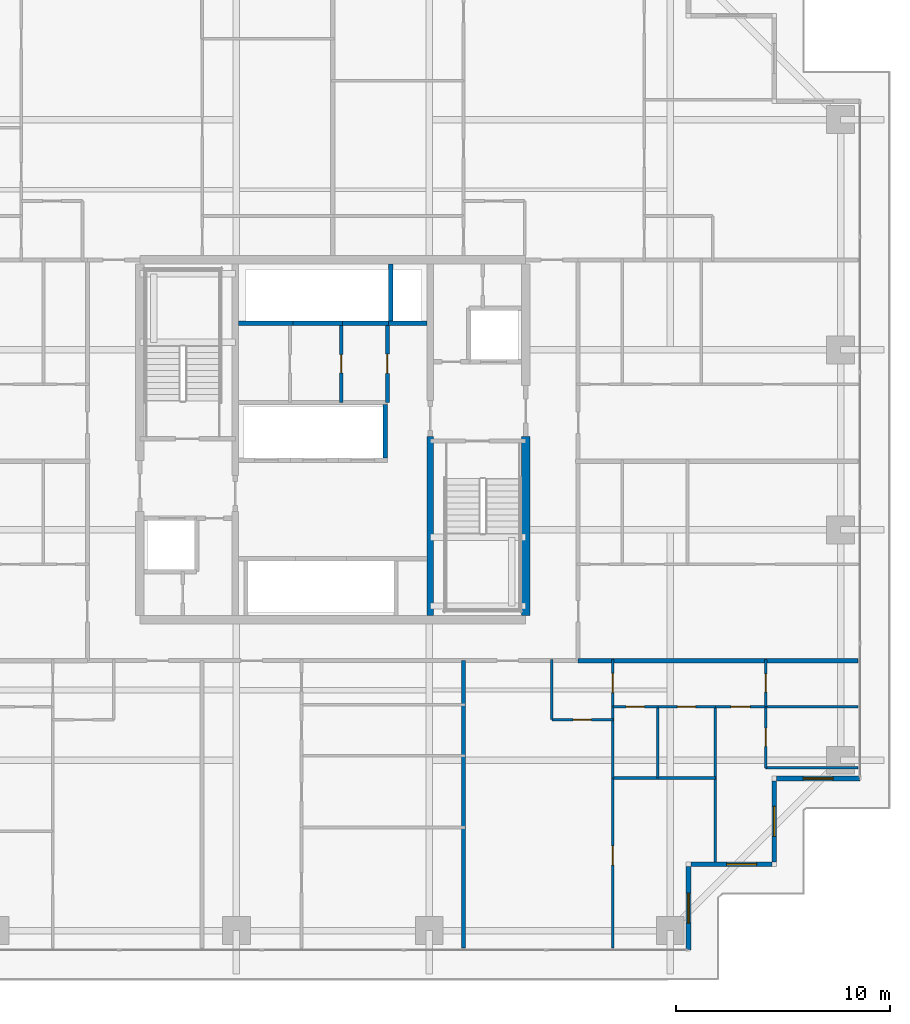
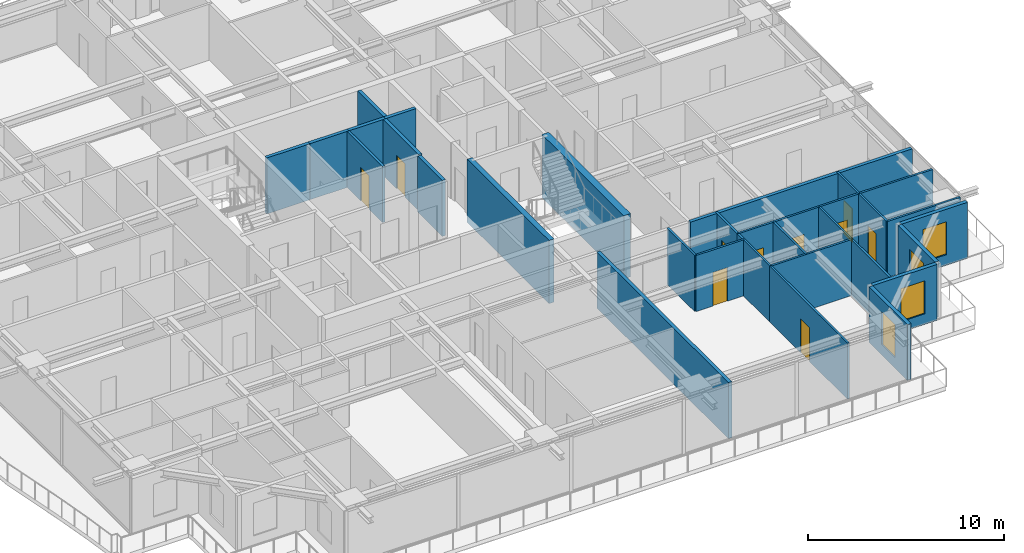
# One storey, part 29 of 38: 31 walls, 10 doors, 4 windows, 14 openings.
"""IFC4 building model written with IfcOpenShell, lengths in metres."""

from ifc_helpers import new_model, si_unit, direction, frame, frame_2d, origin, place, context, subcontext, project, spatial, rectangle, extrude, source, transform, mapped, material, layer, layer_set, type_object, element, fill, save


model = new_model("IFC4")

# Units and contexts
model_context = context("Model", 3, precision=1e-05, world=origin(), true_north=direction((0.0, 1.0)))
body_context = subcontext(model_context, "Body", "Model", "MODEL_VIEW")
ifc_project = project(units=[si_unit("LENGTHUNIT", "METRE"), si_unit("AREAUNIT", "SQUARE_METRE"), si_unit("VOLUMEUNIT", "CUBIC_METRE"), si_unit("PLANEANGLEUNIT", "RADIAN"), si_unit("MASSUNIT", "GRAM", prefix="KILO")], contexts=[model_context])

# Site, building, storey
site_placement = place(None, origin())
site = spatial("IfcSite", under=ifc_project, at=site_placement, CompositionType="ELEMENT")
building_placement = place(site_placement, origin())
building = spatial("IfcBuilding", under=site, at=building_placement, Name="Serunith Strait Residences", CompositionType="ELEMENT")
storey_placement = place(building_placement, frame((0.0, 0.0, 120.14990234375)))
storey = spatial("IfcBuildingStorey", under=building, at=storey_placement, Name="L29", CompositionType="ELEMENT", Elevation=120.14990234375)

# Wall, opening, window
ifc_material_1 = material(Name="Pale-Champagne Aluminium Insulated Panel", Category="aluminium")
ifc_layer_1 = layer(ifc_material_1, 0.219970703125, Name="Pale-Champagne Aluminium Insulated Panel")
ifc_layer_set_1 = layer_set([ifc_layer_1], Name="Pale-Champagne Aluminium Insulated Panel")
wall_type_1 = type_object("IfcWallType", Name="EW-ALUM-220", PredefinedType="ELEMENTEDWALL", material=ifc_layer_set_1)
wall_1_placement = place(storey_placement, frame((49.0, 1.39990234375, 0.0), z_axis=(0.0, 0.0, 1.0), x_axis=(0.0, 1.0, 0.0)))
wall_1 = element("IfcWall", 1, at=wall_1_placement, inside=storey, type_object=wall_type_1, Name="L29 Girih Serrated Corner Wall 02", PredefinedType="ELEMENTEDWALL", context=body_context, shape_type="SweptSolid", body=[
    extrude(rectangle(XDim=3.89013671875, YDim=0.219970703125, at=frame_2d((1.945068359375, 0.0))), origin(), (0.0, 0.0, 1.0), 3.47509765625),
])
opening_1_placement = place(wall_1_placement, frame((1.2451171875, 0.0, 0.64990234375)))
opening_1 = element("IfcOpeningElement", 2, at=opening_1_placement, cuts=wall_1, Name="Opening W-03", PredefinedType="OPENING", context=body_context, shape_type="SweptSolid", body=[
    extrude(rectangle(XDim=1.39990234375, YDim=2.050048828125, at=frame_2d((0.699951171875, 1.02490234375))), frame((0.0, 0.1201171875, 0.0), z_axis=(0.0, -1.0, 0.0), x_axis=(1.0, 0.0, 0.0)), (0.0, 0.0, 1.0), 0.239990234375),
])
ifc_material_2 = material(Name="Ceramic-Fritted Operable Aluminium Window Glass", Category="aluminium")
window_type = type_object("IfcWindowType", Name="WIN-C3", PartitioningType="SINGLE_PANEL", PredefinedType="WINDOW", material=ifc_material_2)
shared_shape_1 = source(origin(), body_context, "Body", "SweptSolid", [
    extrude(rectangle(XDim=1.39990234375, YDim=2.050048828125, at=frame_2d((0.699951171875, 1.02490234375))), frame((0.0, 0.030029296875, 0.0), z_axis=(0.0, -1.0, 0.0), x_axis=(1.0, 0.0, 0.0)), (0.0, 0.0, 1.0), 0.06005859375),
])
window_1_placement = place(opening_1_placement, origin())
window_1 = element("IfcWindow", 3, at=window_1_placement, inside=storey, type_object=window_type, Name="L29 Corner Operable Fritted Window 02", OverallHeight=2.050048828125, OverallWidth=1.39990234375, PartitioningType="SINGLE_PANEL", PredefinedType="WINDOW", context=body_context, shape_type="MappedRepresentation", body=[
    mapped(shared_shape_1, transform((0.0, 0.0, 0.0), scale=1.0)),
])
fill(opening_1, window_1)

wall_2_placement = place(storey_placement, frame((49.110107421875, 5.39990234375, 0.0), z_axis=(0.0, 0.0, 1.0), x_axis=(1.0, 0.0, 0.0)))
wall_2 = element("IfcWall", 4, at=wall_2_placement, inside=storey, type_object=wall_type_1, Name="L29 Girih Serrated Corner Wall 03", PredefinedType="ELEMENTEDWALL", context=body_context, shape_type="SweptSolid", body=[
    extrude(rectangle(XDim=3.77978515625, YDim=0.219970703125, at=frame_2d((1.889892578125, 0.0))), origin(), (0.0, 0.0, 1.0), 3.47509765625),
])
opening_2_placement = place(wall_2_placement, frame((1.666015625, 0.0, 0.64990234375)))
opening_2 = element("IfcOpeningElement", 5, at=opening_2_placement, cuts=wall_2, Name="Opening W-03", PredefinedType="OPENING", context=body_context, shape_type="SweptSolid", body=[
    extrude(rectangle(XDim=1.39990234375, YDim=2.050048828125, at=frame_2d((0.699951171875, 1.02490234375))), frame((0.0, 0.1201171875, 0.0), z_axis=(0.0, -1.0, 0.0), x_axis=(1.0, 0.0, 0.0)), (0.0, 0.0, 1.0), 0.239990234375),
])
window_2_placement = place(opening_2_placement, origin())
window_2 = element("IfcWindow", 6, at=window_2_placement, inside=storey, type_object=window_type, Name="L29 Corner Operable Fritted Window 03", OverallHeight=2.050048828125, OverallWidth=1.39990234375, PartitioningType="SINGLE_PANEL", PredefinedType="WINDOW", context=body_context, shape_type="MappedRepresentation", body=[
    mapped(shared_shape_1, transform((0.0, 0.0, 0.0), scale=1.0)),
])
fill(opening_2, window_2)

wall_3_placement = place(storey_placement, frame((53.0, 5.510009765625, 0.0), z_axis=(0.0, 0.0, 1.0), x_axis=(0.0, 1.0, 0.0)))
wall_3 = element("IfcWall", 7, at=wall_3_placement, inside=storey, type_object=wall_type_1, Name="L29 Girih Serrated Corner Wall 04", PredefinedType="ELEMENTEDWALL", context=body_context, shape_type="SweptSolid", body=[
    extrude(rectangle(XDim=3.780029296875, YDim=0.219970703125, at=frame_2d((1.89013671875, 0.0))), origin(), (0.0, 0.0, 1.0), 3.47509765625),
])
opening_3_placement = place(wall_3_placement, frame((1.18994140625, 0.0, 0.64990234375)))
opening_3 = element("IfcOpeningElement", 8, at=opening_3_placement, cuts=wall_3, Name="Opening W-03", PredefinedType="OPENING", context=body_context, shape_type="SweptSolid", body=[
    extrude(rectangle(XDim=1.39990234375, YDim=2.050048828125, at=frame_2d((0.699951171875, 1.02490234375))), frame((0.0, 0.1201171875, 0.0), z_axis=(0.0, -1.0, 0.0), x_axis=(1.0, 0.0, 0.0)), (0.0, 0.0, 1.0), 0.239990234375),
])
window_3_placement = place(opening_3_placement, origin())
window_3 = element("IfcWindow", 9, at=window_3_placement, inside=storey, type_object=window_type, Name="L29 Corner Operable Fritted Window 04", OverallHeight=2.050048828125, OverallWidth=1.39990234375, PartitioningType="SINGLE_PANEL", PredefinedType="WINDOW", context=body_context, shape_type="MappedRepresentation", body=[
    mapped(shared_shape_1, transform((0.0, 0.0, 0.0), scale=1.0)),
])
fill(opening_3, window_3)

wall_4_placement = place(storey_placement, frame((53.110107421875, 9.39990234375, 0.0), z_axis=(0.0, 0.0, 1.0), x_axis=(1.0, 0.0, 0.0)))
wall_4 = element("IfcWall", 10, at=wall_4_placement, inside=storey, type_object=wall_type_1, Name="L29 Girih Serrated Corner Wall 05", PredefinedType="ELEMENTEDWALL", context=body_context, shape_type="SweptSolid", body=[
    extrude(rectangle(XDim=3.889892578125, YDim=0.219970703125, at=frame_2d((1.94482421875, 0.0))), origin(), (0.0, 0.0, 1.0), 3.47509765625),
])
opening_4_placement = place(wall_4_placement, frame((1.2451171875, 0.0, 0.64990234375)))
opening_4 = element("IfcOpeningElement", 11, at=opening_4_placement, cuts=wall_4, Name="Opening W-03", PredefinedType="OPENING", context=body_context, shape_type="SweptSolid", body=[
    extrude(rectangle(XDim=1.39990234375, YDim=2.050048828125, at=frame_2d((0.699951171875, 1.02490234375))), frame((0.0, 0.1201171875, 0.0), z_axis=(0.0, -1.0, 0.0), x_axis=(1.0, 0.0, 0.0)), (0.0, 0.0, 1.0), 0.239990234375),
])
window_4_placement = place(opening_4_placement, origin())
window_4 = element("IfcWindow", 12, at=window_4_placement, inside=storey, type_object=window_type, Name="L29 Corner Operable Fritted Window 05", OverallHeight=2.050048828125, OverallWidth=1.39990234375, PartitioningType="SINGLE_PANEL", PredefinedType="WINDOW", context=body_context, shape_type="MappedRepresentation", body=[
    mapped(shared_shape_1, transform((0.0, 0.0, 0.0), scale=1.0)),
])
fill(opening_4, window_4)

# Wall, opening, door
ifc_material_3 = material(Name="Fire-rated masonry service closet wall", Category="masonry")
ifc_layer_2 = layer(ifc_material_3, 0.14990234375, Name="Fire-rated masonry service closet wall")
ifc_layer_set_2 = layer_set([ifc_layer_2], Name="Fire-rated masonry service closet wall")
wall_type_2 = type_object("IfcWallType", Name="IW-BOH-150", PredefinedType="PARTITIONING", material=ifc_layer_set_2)
wall_5_placement = place(storey_placement, frame((32.800048828125, 26.949951171875, 0.0), z_axis=(0.0, 0.0, 1.0), x_axis=(0.0, 1.0, 0.0)))
wall_5 = element("IfcWall", 13, at=wall_5_placement, inside=storey, type_object=wall_type_2, Name="L29 Partition Wall 015", PredefinedType="PARTITIONING", context=body_context, shape_type="SweptSolid", body=[
    extrude(rectangle(XDim=3.60009765625, YDim=0.14990234375, at=frame_2d((1.800048828125, 0.0))), origin(), (0.0, 0.0, 1.0), 3.489990234375),
])
opening_5_placement = place(wall_5_placement, frame((1.375, 0.0, 0.0)))
opening_5 = element("IfcOpeningElement", 14, at=opening_5_placement, cuts=wall_5, Name="Opening FD-850", PredefinedType="OPENING", context=body_context, shape_type="SweptSolid", body=[
    extrude(rectangle(XDim=0.85009765625, YDim=2.10009765625, at=frame_2d((0.425048828125, 1.050048828125))), frame((0.0, 0.0849609375, 0.0), z_axis=(0.0, -1.0, 0.0), x_axis=(1.0, 0.0, 0.0)), (0.0, 0.0, 1.0), 0.169921875),
])
ifc_material_4 = material(Name="Powder-coated steel service closet door", Category="steel")
door_type_1 = type_object("IfcDoorType", Name="FD-BOH-850", OperationType="NOTDEFINED", PredefinedType="DOOR", material=ifc_material_4)
shared_shape_2 = source(origin(), body_context, "Body", "SweptSolid", [
    extrude(rectangle(XDim=0.85009765625, YDim=2.10009765625, at=frame_2d((0.425048828125, 1.050048828125))), frame((0.0, 0.02490234375, 0.0), z_axis=(0.0, -1.0, 0.0), x_axis=(1.0, 0.0, 0.0)), (0.0, 0.0, 1.0), 0.050048828125),
])
door_1_placement = place(opening_5_placement, origin())
door_1 = element("IfcDoor", 15, at=door_1_placement, inside=storey, type_object=door_type_1, Name="L29 Linen Store Door", OperationType="SINGLE_SWING_RIGHT", OverallHeight=2.10009765625, OverallWidth=0.85009765625, PredefinedType="DOOR", context=body_context, shape_type="MappedRepresentation", body=[
    mapped(shared_shape_2, transform((0.0, 0.0, 0.0), scale=1.0)),
])
fill(opening_5, door_1)

ifc_material_5 = material(Name="Lightweight steel-stud gypsum partition", Category="steel")
ifc_layer_3 = layer(ifc_material_5, 0.1201171875, Name="Lightweight steel-stud gypsum partition")
ifc_layer_set_3 = layer_set([ifc_layer_3], Name="Lightweight steel-stud gypsum partition")
wall_type_3 = type_object("IfcWallType", Name="IW-PART-120", PredefinedType="PARTITIONING", material=ifc_layer_set_3)
wall_6_placement = place(storey_placement, frame((42.6201171875, 12.14990234375, 0.0), z_axis=(0.0, 0.0, 1.0), x_axis=(1.0, 0.0, 0.0)))
wall_6 = element("IfcWall", 16, at=wall_6_placement, inside=storey, type_object=wall_type_3, Name="L29 Partition Wall 053", PredefinedType="PARTITIONING", context=body_context, shape_type="SweptSolid", body=[
    extrude(rectangle(XDim=2.849853515625, YDim=0.1201171875, at=frame_2d((1.4248046875, 0.0))), origin(), (0.0, 0.0, 1.0), 3.489990234375),
])
opening_6_placement = place(wall_6_placement, frame((1.0, 0.0, 0.0)))
opening_6 = element("IfcOpeningElement", 17, at=opening_6_placement, cuts=wall_6, Name="Opening D-RM850", PredefinedType="OPENING", context=body_context, shape_type="SweptSolid", body=[
    extrude(rectangle(XDim=0.85009765625, YDim=2.10009765625, at=frame_2d((0.425048828125, 1.050048828125))), frame((0.0, 0.070068359375, 0.0), z_axis=(0.0, -1.0, 0.0), x_axis=(1.0, 0.0, 0.0)), (0.0, 0.0, 1.0), 0.14013671875),
])
ifc_material_6 = material(Name="Engineered timber flush study and kitchen door", Category="wood")
door_type_2 = type_object("IfcDoorType", Name="ID-ROOM-850", OperationType="NOTDEFINED", PredefinedType="DOOR", material=ifc_material_6)
door_2_placement = place(opening_6_placement, origin())
door_2 = element("IfcDoor", 18, at=door_2_placement, inside=storey, type_object=door_type_2, Name="L29 Kitchen 2903 Door", OperationType="SINGLE_SWING_LEFT", OverallHeight=2.10009765625, OverallWidth=0.85009765625, PredefinedType="DOOR", context=body_context, shape_type="MappedRepresentation", body=[
    mapped(shared_shape_2, transform((0.0, 0.0, 0.0), scale=1.0)),
])
fill(opening_6, door_2)

# Wall
wall_7_placement = place(storey_placement, frame((42.6201171875, 12.14990234375, 0.0), z_axis=(0.0, 0.0, 1.0), x_axis=(0.0, 1.0, 0.0)))
element("IfcWall", 19, at=wall_7_placement, inside=storey, type_object=wall_type_3, Name="L29 Partition Wall 054", PredefinedType="PARTITIONING", context=body_context, shape_type="SweptSolid", body=[
    extrude(rectangle(XDim=2.81005859375, YDim=0.1201171875, at=frame_2d((1.405029296875, 0.0))), origin(), (0.0, 0.0, 1.0), 3.489990234375),
])

# Wall, opening, door
wall_8_placement = place(storey_placement, frame((45.469970703125, 12.75, 0.0), z_axis=(0.0, 0.0, 1.0), x_axis=(0.0, 1.0, 0.0)))
wall_8 = element("IfcWall", 20, at=wall_8_placement, inside=storey, type_object=wall_type_3, Name="L29 Partition Wall 055", PredefinedType="PARTITIONING", context=body_context, shape_type="SweptSolid", body=[
    extrude(rectangle(XDim=2.2099609375, YDim=0.1201171875, at=frame_2d((1.10498046875, 0.0))), origin(), (0.0, 0.0, 1.0), 3.489990234375),
])
opening_7_placement = place(wall_8_placement, frame((0.655029296875, 0.0, 0.0)))
opening_7 = element("IfcOpeningElement", 21, at=opening_7_placement, cuts=wall_8, Name="Opening D-RM900", PredefinedType="OPENING", context=body_context, shape_type="SweptSolid", body=[
    extrude(rectangle(XDim=0.89990234375, YDim=2.10009765625, at=frame_2d((0.449951171875, 1.050048828125))), frame((0.0, 0.070068359375, 0.0), z_axis=(0.0, -1.0, 0.0), x_axis=(1.0, 0.0, 0.0)), (0.0, 0.0, 1.0), 0.14013671875),
])
ifc_material_7 = material(Name="Engineered timber flush bedroom door", Category="wood")
door_type_3 = type_object("IfcDoorType", Name="ID-ROOM-900", OperationType="NOTDEFINED", PredefinedType="DOOR", material=ifc_material_7)
shared_shape_3 = source(origin(), body_context, "Body", "SweptSolid", [
    extrude(rectangle(XDim=0.89990234375, YDim=2.10009765625, at=frame_2d((0.449951171875, 1.050048828125))), frame((0.0, 0.02490234375, 0.0), z_axis=(0.0, -1.0, 0.0), x_axis=(1.0, 0.0, 0.0)), (0.0, 0.0, 1.0), 0.050048828125),
])
door_3_placement = place(opening_7_placement, origin())
door_3 = element("IfcDoor", 22, at=door_3_placement, inside=storey, type_object=door_type_3, Name="L29 Hall E 2903 Door", OperationType="SINGLE_SWING_RIGHT", OverallHeight=2.10009765625, OverallWidth=0.89990234375, PredefinedType="DOOR", context=body_context, shape_type="MappedRepresentation", body=[
    mapped(shared_shape_3, transform((0.0, 0.0, 0.0), scale=1.0)),
])
fill(opening_7, door_3)

wall_9_placement = place(storey_placement, frame((45.469970703125, 1.4951171875, 0.0), z_axis=(0.0, 0.0, 1.0), x_axis=(0.0, 1.0, 0.0)))
wall_9 = element("IfcWall", 23, at=wall_9_placement, inside=storey, type_object=wall_type_3, Name="L29 Partition Wall 056", PredefinedType="PARTITIONING", context=body_context, shape_type="SweptSolid", body=[
    extrude(rectangle(XDim=7.928955078125, YDim=0.1201171875, at=frame_2d((3.96435546875, 0.0))), origin(), (0.0, 0.0, 1.0), 3.489990234375),
])
opening_8_placement = place(wall_9_placement, frame((3.865966796875, 0.0, 0.0)))
opening_8 = element("IfcOpeningElement", 24, at=opening_8_placement, cuts=wall_9, Name="Opening D-RM900", PredefinedType="OPENING", context=body_context, shape_type="SweptSolid", body=[
    extrude(rectangle(XDim=0.89990234375, YDim=2.10009765625, at=frame_2d((0.449951171875, 1.050048828125))), frame((0.0, 0.070068359375, 0.0), z_axis=(0.0, -1.0, 0.0), x_axis=(1.0, 0.0, 0.0)), (0.0, 0.0, 1.0), 0.14013671875),
])
door_4_placement = place(opening_8_placement, origin())
door_4 = element("IfcDoor", 25, at=door_4_placement, inside=storey, type_object=door_type_3, Name="L29 Formal Dining Room 1 2903 Door", OperationType="SINGLE_SWING_LEFT", OverallHeight=2.10009765625, OverallWidth=0.89990234375, PredefinedType="DOOR", context=body_context, shape_type="MappedRepresentation", body=[
    mapped(shared_shape_3, transform((0.0, 0.0, 0.0), scale=1.0)),
])
fill(opening_8, door_4)

# Walls
wall_10_placement = place(storey_placement, frame((45.469970703125, 9.426025390625, 0.0), z_axis=(0.0, 0.0, 1.0), x_axis=(0.0, 1.0, 0.0)))
element("IfcWall", 26, at=wall_10_placement, inside=storey, type_object=wall_type_3, Name="L29 Partition Wall 057", PredefinedType="PARTITIONING", context=body_context, shape_type="SweptSolid", body=[
    extrude(rectangle(XDim=3.322021484375, YDim=0.1201171875, at=frame_2d((1.6611328125, 0.0))), origin(), (0.0, 0.0, 1.0), 3.489990234375),
])
wall_11_placement = place(storey_placement, frame((45.469970703125, 9.424072265625, 0.0), z_axis=(0.0, 0.0, 1.0), x_axis=(1.0, 0.0, 0.0)))
element("IfcWall", 27, at=wall_11_placement, inside=storey, type_object=wall_type_3, Name="L29 Partition Wall 058", PredefinedType="PARTITIONING", context=body_context, shape_type="SweptSolid", body=[
    extrude(rectangle(XDim=4.780029296875, YDim=0.1201171875, at=frame_2d((2.39013671875, 0.0))), origin(), (0.0, 0.0, 1.0), 3.489990234375),
])
wall_12_placement = place(storey_placement, frame((50.25, 5.4951171875, 0.0), z_axis=(0.0, 0.0, 1.0), x_axis=(0.0, 1.0, 0.0)))
element("IfcWall", 28, at=wall_12_placement, inside=storey, type_object=wall_type_3, Name="L29 Partition Wall 059", PredefinedType="PARTITIONING", context=body_context, shape_type="SweptSolid", body=[
    extrude(rectangle(XDim=7.2548828125, YDim=0.1201171875, at=frame_2d((3.62744140625, 0.0))), origin(), (0.0, 0.0, 1.0), 3.489990234375),
])
wall_13_placement = place(storey_placement, frame((47.570068359375, 9.424072265625, 0.0), z_axis=(0.0, 0.0, 1.0), x_axis=(0.0, 1.0, 0.0)))
element("IfcWall", 29, at=wall_13_placement, inside=storey, type_object=wall_type_3, Name="L29 Partition Wall 060", PredefinedType="PARTITIONING", context=body_context, shape_type="SweptSolid", body=[
    extrude(rectangle(XDim=3.325927734375, YDim=0.1201171875, at=frame_2d((1.6630859375, 0.0))), origin(), (0.0, 0.0, 1.0), 3.489990234375),
])

# Wall, opening, door
wall_14_placement = place(storey_placement, frame((45.469970703125, 12.75, 0.0), z_axis=(0.0, 0.0, 1.0), x_axis=(1.0, 0.0, 0.0)))
wall_14 = element("IfcWall", 30, at=wall_14_placement, inside=storey, type_object=wall_type_3, Name="L29 Partition Wall 061", PredefinedType="PARTITIONING", context=body_context, shape_type="SweptSolid", body=[
    extrude(rectangle(XDim=2.10009765625, YDim=0.1201171875, at=frame_2d((1.050048828125, 0.0))), origin(), (0.0, 0.0, 1.0), 3.489990234375),
])
opening_9_placement = place(wall_14_placement, frame((0.625, 0.0, 0.0)))
opening_9 = element("IfcOpeningElement", 31, at=opening_9_placement, cuts=wall_14, Name="Opening D-BTH850", PredefinedType="OPENING", context=body_context, shape_type="SweptSolid", body=[
    extrude(rectangle(XDim=0.85009765625, YDim=2.10009765625, at=frame_2d((0.425048828125, 1.050048828125))), frame((0.0, 0.070068359375, 0.0), z_axis=(0.0, -1.0, 0.0), x_axis=(1.0, 0.0, 0.0)), (0.0, 0.0, 1.0), 0.14013671875),
])
ifc_material_8 = material(Name="Moisture-resistant timber bathroom door", Category="wood")
door_type_4 = type_object("IfcDoorType", Name="ID-BATH-850", OperationType="NOTDEFINED", PredefinedType="DOOR", material=ifc_material_8)
door_5_placement = place(opening_9_placement, origin())
door_5 = element("IfcDoor", 32, at=door_5_placement, inside=storey, type_object=door_type_4, Name="L29 Bathroom 2903 Door", OperationType="SINGLE_SWING_RIGHT", OverallHeight=2.10009765625, OverallWidth=0.85009765625, PredefinedType="DOOR", context=body_context, shape_type="MappedRepresentation", body=[
    mapped(shared_shape_2, transform((0.0, 0.0, 0.0), scale=1.0)),
])
fill(opening_9, door_5)

wall_15_placement = place(storey_placement, frame((47.572021484375, 12.75, 0.0), z_axis=(0.0, 0.0, 1.0), x_axis=(1.0, 0.0, 0.0)))
wall_15 = element("IfcWall", 33, at=wall_15_placement, inside=storey, type_object=wall_type_3, Name="L29 Partition Wall 062", PredefinedType="PARTITIONING", context=body_context, shape_type="SweptSolid", body=[
    extrude(rectangle(XDim=2.677978515625, YDim=0.1201171875, at=frame_2d((1.3388671875, 0.0))), origin(), (0.0, 0.0, 1.0), 3.489990234375),
])
opening_10_placement = place(wall_15_placement, frame((0.9140625, 0.0, 0.0)))
opening_10 = element("IfcOpeningElement", 34, at=opening_10_placement, cuts=wall_15, Name="Opening D-RM850", PredefinedType="OPENING", context=body_context, shape_type="SweptSolid", body=[
    extrude(rectangle(XDim=0.85009765625, YDim=2.10009765625, at=frame_2d((0.425048828125, 1.050048828125))), frame((0.0, 0.070068359375, 0.0), z_axis=(0.0, -1.0, 0.0), x_axis=(1.0, 0.0, 0.0)), (0.0, 0.0, 1.0), 0.14013671875),
])
door_6_placement = place(opening_10_placement, origin())
door_6 = element("IfcDoor", 35, at=door_6_placement, inside=storey, type_object=door_type_2, Name="L29 Laundry Room 2903 Door", OperationType="SINGLE_SWING_LEFT", OverallHeight=2.10009765625, OverallWidth=0.85009765625, PredefinedType="DOOR", context=body_context, shape_type="MappedRepresentation", body=[
    mapped(shared_shape_2, transform((0.0, 0.0, 0.0), scale=1.0)),
])
fill(opening_10, door_6)

wall_16_placement = place(storey_placement, frame((50.251953125, 12.75, 0.0), z_axis=(0.0, 0.0, 1.0), x_axis=(1.0, 0.0, 0.0)))
wall_16 = element("IfcWall", 36, at=wall_16_placement, inside=storey, type_object=wall_type_3, Name="L29 Partition Wall 063", PredefinedType="PARTITIONING", context=body_context, shape_type="SweptSolid", body=[
    extrude(rectangle(XDim=2.34814453125, YDim=0.1201171875, at=frame_2d((1.174072265625, 0.0))), origin(), (0.0, 0.0, 1.0), 3.489990234375),
])
opening_11_placement = place(wall_16_placement, frame((0.72412109375, 0.0, 0.0)))
opening_11 = element("IfcOpeningElement", 37, at=opening_11_placement, cuts=wall_16, Name="Opening D-RM900", PredefinedType="OPENING", context=body_context, shape_type="SweptSolid", body=[
    extrude(rectangle(XDim=0.89990234375, YDim=2.10009765625, at=frame_2d((0.449951171875, 1.050048828125))), frame((0.0, 0.070068359375, 0.0), z_axis=(0.0, -1.0, 0.0), x_axis=(1.0, 0.0, 0.0)), (0.0, 0.0, 1.0), 0.14013671875),
])
door_7_placement = place(opening_11_placement, origin())
door_7 = element("IfcDoor", 38, at=door_7_placement, inside=storey, type_object=door_type_3, Name="L29 Master Bedroom E 2903 Door", OperationType="SINGLE_SWING_RIGHT", OverallHeight=2.10009765625, OverallWidth=0.89990234375, PredefinedType="DOOR", context=body_context, shape_type="MappedRepresentation", body=[
    mapped(shared_shape_3, transform((0.0, 0.0, 0.0), scale=1.0)),
])
fill(opening_11, door_7)

# Walls
wall_17_placement = place(storey_placement, frame((52.60009765625, 9.89501953125, 0.0), z_axis=(0.0, 0.0, 1.0), x_axis=(1.0, 0.0, 0.0)))
element("IfcWall", 39, at=wall_17_placement, inside=storey, type_object=wall_type_3, Name="L29 Partition Wall 064", PredefinedType="PARTITIONING", context=body_context, shape_type="SweptSolid", body=[
    extrude(rectangle(XDim=4.304931640625, YDim=0.1201171875, at=frame_2d((2.15234375, 0.0))), origin(), (0.0, 0.0, 1.0), 3.489990234375),
])
wall_18_placement = place(storey_placement, frame((52.60205078125, 12.75, 0.0), z_axis=(0.0, 0.0, 1.0), x_axis=(1.0, 0.0, 0.0)))
element("IfcWall", 40, at=wall_18_placement, inside=storey, type_object=wall_type_3, Name="L29 Partition Wall 065", PredefinedType="PARTITIONING", context=body_context, shape_type="SweptSolid", body=[
    extrude(rectangle(XDim=4.302978515625, YDim=0.1201171875, at=frame_2d((2.1513671875, 0.0))), origin(), (0.0, 0.0, 1.0), 3.489990234375),
])

# Wall, opening, door
wall_19_placement = place(storey_placement, frame((52.60009765625, 9.89501953125, 0.0), z_axis=(0.0, 0.0, 1.0), x_axis=(0.0, 1.0, 0.0)))
wall_19 = element("IfcWall", 41, at=wall_19_placement, inside=storey, type_object=wall_type_3, Name="L29 Partition Wall 066", PredefinedType="PARTITIONING", context=body_context, shape_type="SweptSolid", body=[
    extrude(rectangle(XDim=2.85498046875, YDim=0.1201171875, at=frame_2d((1.427490234375, 0.0))), origin(), (0.0, 0.0, 1.0), 3.489990234375),
])
opening_12_placement = place(wall_19_placement, frame((1.0029296875, 0.0, 0.0)))
opening_12 = element("IfcOpeningElement", 42, at=opening_12_placement, cuts=wall_19, Name="Opening D-BTH850", PredefinedType="OPENING", context=body_context, shape_type="SweptSolid", body=[
    extrude(rectangle(XDim=0.85009765625, YDim=2.10009765625, at=frame_2d((0.425048828125, 1.050048828125))), frame((0.0, 0.070068359375, 0.0), z_axis=(0.0, -1.0, 0.0), x_axis=(1.0, 0.0, 0.0)), (0.0, 0.0, 1.0), 0.14013671875),
])
door_8_placement = place(opening_12_placement, origin())
door_8 = element("IfcDoor", 43, at=door_8_placement, inside=storey, type_object=door_type_4, Name="L29 En-suite Bathroom E 2903 Door", OperationType="SINGLE_SWING_LEFT", OverallHeight=2.10009765625, OverallWidth=0.85009765625, PredefinedType="DOOR", context=body_context, shape_type="MappedRepresentation", body=[
    mapped(shared_shape_2, transform((0.0, 0.0, 0.0), scale=1.0)),
])
fill(opening_12, door_8)

wall_20_placement = place(storey_placement, frame((52.60009765625, 12.751953125, 0.0), z_axis=(0.0, 0.0, 1.0), x_axis=(0.0, 1.0, 0.0)))
wall_20 = element("IfcWall", 44, at=wall_20_placement, inside=storey, type_object=wall_type_3, Name="L29 Partition Wall 067", PredefinedType="PARTITIONING", context=body_context, shape_type="SweptSolid", body=[
    extrude(rectangle(XDim=2.2080078125, YDim=0.1201171875, at=frame_2d((1.10400390625, 0.0))), origin(), (0.0, 0.0, 1.0), 3.489990234375),
])
opening_13_placement = place(wall_20_placement, frame((0.678955078125, 0.0, 0.0)))
opening_13 = element("IfcOpeningElement", 45, at=opening_13_placement, cuts=wall_20, Name="Opening D-RM850", PredefinedType="OPENING", context=body_context, shape_type="SweptSolid", body=[
    extrude(rectangle(XDim=0.85009765625, YDim=2.10009765625, at=frame_2d((0.425048828125, 1.050048828125))), frame((0.0, 0.070068359375, 0.0), z_axis=(0.0, -1.0, 0.0), x_axis=(1.0, 0.0, 0.0)), (0.0, 0.0, 1.0), 0.14013671875),
])
door_9_placement = place(opening_13_placement, origin())
door_9 = element("IfcDoor", 46, at=door_9_placement, inside=storey, type_object=door_type_2, Name="L29 Wardrobe E 2903 Door", OperationType="SINGLE_SWING_RIGHT", OverallHeight=2.10009765625, OverallWidth=0.85009765625, PredefinedType="DOOR", context=body_context, shape_type="MappedRepresentation", body=[
    mapped(shared_shape_2, transform((0.0, 0.0, 0.0), scale=1.0)),
])
fill(opening_13, door_9)

# Walls
ifc_material_9 = material(Name="Twin-stud acoustic gypsum board partition")
ifc_layer_4 = layer(ifc_material_9, 0.199951171875, Name="Twin-stud acoustic gypsum board partition")
ifc_layer_set_4 = layer_set([ifc_layer_4], Name="Twin-stud acoustic gypsum board partition")
wall_type_4 = type_object("IfcWallType", Name="IW-PARTY-200", PredefinedType="PARTITIONING", material=ifc_layer_set_4)
wall_21_placement = place(storey_placement, frame((38.5, 1.48193359375, 0.0), z_axis=(0.0, 0.0, 1.0), x_axis=(0.0, 1.0, 0.0)))
element("IfcWall", 47, at=wall_21_placement, inside=storey, type_object=wall_type_4, Name="L29 Partition Wall 018", PredefinedType="PARTITIONING", context=body_context, shape_type="SweptSolid", body=[
    extrude(rectangle(XDim=13.41796875, YDim=0.199951171875, at=frame_2d((6.708984375, 0.0))), origin(), (0.0, 0.0, 1.0), 3.489990234375),
])
wall_22_placement = place(storey_placement, frame((43.85009765625, 14.89990234375, 0.0), z_axis=(0.0, 0.0, 1.0), x_axis=(1.0, 0.0, 0.0)))
element("IfcWall", 48, at=wall_22_placement, inside=storey, type_object=wall_type_4, Name="L29 Partition Wall 023", PredefinedType="PARTITIONING", context=body_context, shape_type="SweptSolid", body=[
    extrude(rectangle(XDim=13.06787109375, YDim=0.199951171875, at=frame_2d((6.533935546875, 0.0))), origin(), (0.0, 0.0, 1.0), 3.489990234375),
])
ifc_material_10 = material(Name="Autoclaved aerated concrete blockwork", Category="masonry")
ifc_layer_5 = layer(ifc_material_10, 0.199951171875, Name="Autoclaved aerated concrete blockwork")
ifc_layer_set_5 = layer_set([ifc_layer_5], Name="Autoclaved aerated concrete blockwork")
wall_type_5 = type_object("IfcWallType", Name="IW-SHAFT-200", PredefinedType="STANDARD", material=ifc_layer_set_5)
wall_23_placement = place(storey_placement, frame((34.85009765625, 24.35009765625, 0.0), z_axis=(0.0, 0.0, 1.0), x_axis=(0.0, 1.0, 0.0)))
element("IfcWall", 49, at=wall_23_placement, inside=storey, type_object=wall_type_5, Name="L29 PL-6 East Shaft Wall", PredefinedType="STANDARD", context=body_context, shape_type="SweptSolid", body=[
    extrude(rectangle(XDim=2.5, YDim=0.199951171875, at=frame_2d((1.25, 0.0))), origin(), (0.0, 0.0, 1.0), 3.489990234375),
])
wall_24_placement = place(storey_placement, frame((28.0, 30.64990234375, 0.0), z_axis=(0.0, 0.0, 1.0), x_axis=(1.0, 0.0, 0.0)))
element("IfcWall", 50, at=wall_24_placement, inside=storey, type_object=wall_type_5, Name="L29 PL-7 South Shaft Wall", PredefinedType="STANDARD", context=body_context, shape_type="SweptSolid", body=[
    extrude(rectangle(XDim=2.550048828125, YDim=0.199951171875, at=frame_2d((1.27490234375, 0.0))), origin(), (0.0, 0.0, 1.0), 3.489990234375),
])
wall_25_placement = place(storey_placement, frame((30.550048828125, 30.64990234375, 0.0), z_axis=(0.0, 0.0, 1.0), x_axis=(1.0, 0.0, 0.0)))
element("IfcWall", 51, at=wall_25_placement, inside=storey, type_object=wall_type_5, Name="L29 PL-8 South Shaft Wall", PredefinedType="STANDARD", context=body_context, shape_type="SweptSolid", body=[
    extrude(rectangle(XDim=2.300048828125, YDim=0.199951171875, at=frame_2d((1.14990234375, 0.0))), origin(), (0.0, 0.0, 1.0), 3.489990234375),
])
wall_26_placement = place(storey_placement, frame((32.85009765625, 30.64990234375, 0.0), z_axis=(0.0, 0.0, 1.0), x_axis=(1.0, 0.0, 0.0)))
element("IfcWall", 52, at=wall_26_placement, inside=storey, type_object=wall_type_5, Name="L29 PL-9 South Shaft Wall", PredefinedType="STANDARD", context=body_context, shape_type="SweptSolid", body=[
    extrude(rectangle(XDim=2.14990234375, YDim=0.199951171875, at=frame_2d((1.074951171875, 0.0))), origin(), (0.0, 0.0, 1.0), 3.489990234375),
])
wall_27_placement = place(storey_placement, frame((35.0, 30.64990234375, 0.0), z_axis=(0.0, 0.0, 1.0), x_axis=(1.0, 0.0, 0.0)))
element("IfcWall", 53, at=wall_27_placement, inside=storey, type_object=wall_type_5, Name="L29 SL-1 South Shaft Wall", PredefinedType="STANDARD", context=body_context, shape_type="SweptSolid", body=[
    extrude(rectangle(XDim=1.800048828125, YDim=0.199951171875, at=frame_2d((0.89990234375, 0.0))), origin(), (0.0, 0.0, 1.0), 3.489990234375),
])
wall_28_placement = place(storey_placement, frame((35.10009765625, 30.75, 0.0), z_axis=(0.0, 0.0, 1.0), x_axis=(0.0, 1.0, 0.0)))
element("IfcWall", 54, at=wall_28_placement, inside=storey, type_object=wall_type_5, Name="L29 SL-1 West Shaft Wall", PredefinedType="STANDARD", context=body_context, shape_type="SweptSolid", body=[
    extrude(rectangle(XDim=2.64990234375, YDim=0.199951171875, at=frame_2d((1.324951171875, 0.0))), origin(), (0.0, 0.0, 1.0), 3.489990234375),
])

# Wall, opening, door
wall_29_placement = place(storey_placement, frame((34.949951171875, 26.949951171875, 0.0), z_axis=(0.0, 0.0, 1.0), x_axis=(0.0, 1.0, 0.0)))
wall_29 = element("IfcWall", 55, at=wall_29_placement, inside=storey, type_object=wall_type_5, Name="L29 Partition Wall 014", PredefinedType="STANDARD", context=body_context, shape_type="SweptSolid", body=[
    extrude(rectangle(XDim=3.60009765625, YDim=0.199951171875, at=frame_2d((1.800048828125, 0.0))), origin(), (0.0, 0.0, 1.0), 3.489990234375),
])
opening_14_placement = place(wall_29_placement, frame((1.35009765625, 0.0, 0.0)))
opening_14 = element("IfcOpeningElement", 56, at=opening_14_placement, cuts=wall_29, Name="Opening FD-900", PredefinedType="OPENING", context=body_context, shape_type="SweptSolid", body=[
    extrude(rectangle(XDim=0.89990234375, YDim=2.10009765625, at=frame_2d((0.449951171875, 1.050048828125))), frame((0.0, 0.10986328125, 0.0), z_axis=(0.0, -1.0, 0.0), x_axis=(1.0, 0.0, 0.0)), (0.0, 0.0, 1.0), 0.219970703125),
])
ifc_material_11 = material(Name="Powder-coated steel riser door", Category="steel")
door_type_5 = type_object("IfcDoorType", Name="FD-BOH-900", OperationType="NOTDEFINED", PredefinedType="DOOR", material=ifc_material_11)
door_10_placement = place(opening_14_placement, origin())
door_10 = element("IfcDoor", 57, at=door_10_placement, inside=storey, type_object=door_type_5, Name="L29 Janitorial Store Door", OperationType="SINGLE_SWING_LEFT", OverallHeight=2.10009765625, OverallWidth=0.89990234375, PredefinedType="DOOR", context=body_context, shape_type="MappedRepresentation", body=[
    mapped(shared_shape_3, transform((0.0, 0.0, 0.0), scale=1.0)),
])
fill(opening_14, door_10)

# Walls
ifc_material_12 = material(Name="Concrete C70/85", Category="concrete")
ifc_layer_6 = layer(ifc_material_12, 0.300048828125, Name="Concrete C70/85")
ifc_layer_set_6 = layer_set([ifc_layer_6], Name="Concrete C70/85")
wall_type_6 = type_object("IfcWallType", Name="SW-300-C70", PredefinedType="SHEAR", material=ifc_layer_set_6)
wall_30_placement = place(storey_placement, frame((36.949951171875, 17.0, -0.43994140625), z_axis=(0.0, 0.0, 1.0), x_axis=(0.0, 1.0, 0.0)))
element("IfcWall", 58, at=wall_30_placement, inside=storey, type_object=wall_type_6, Name="L29 Core Internal East Web South Pier", PredefinedType="SHEAR", context=body_context, shape_type="SweptSolid", body=[
    extrude(rectangle(XDim=8.35009765625, YDim=0.300048828125, at=frame_2d((4.175048828125, 0.0))), origin(), (0.0, 0.0, 1.0), 3.927978515625),
])
ifc_layer_7 = layer(ifc_material_12, 0.39990234375, Name="Concrete C70/85")
ifc_layer_set_7 = layer_set([ifc_layer_7], Name="Concrete C70/85")
wall_type_7 = type_object("IfcWallType", Name="SW-400-C70", PredefinedType="SHEAR", material=ifc_layer_set_7)
wall_31_placement = place(storey_placement, frame((41.39990234375, 17.0, -0.43994140625), z_axis=(0.0, 0.0, 1.0), x_axis=(0.0, 1.0, 0.0)))
element("IfcWall", 59, at=wall_31_placement, inside=storey, type_object=wall_type_7, Name="L29 Core East Shear Wall South Pier", PredefinedType="SHEAR", context=body_context, shape_type="SweptSolid", body=[
    extrude(rectangle(XDim=8.35009765625, YDim=0.39990234375, at=frame_2d((4.175048828125, 0.0))), origin(), (0.0, 0.0, 1.0), 3.927978515625),
])

save(model, "model.ifc")
